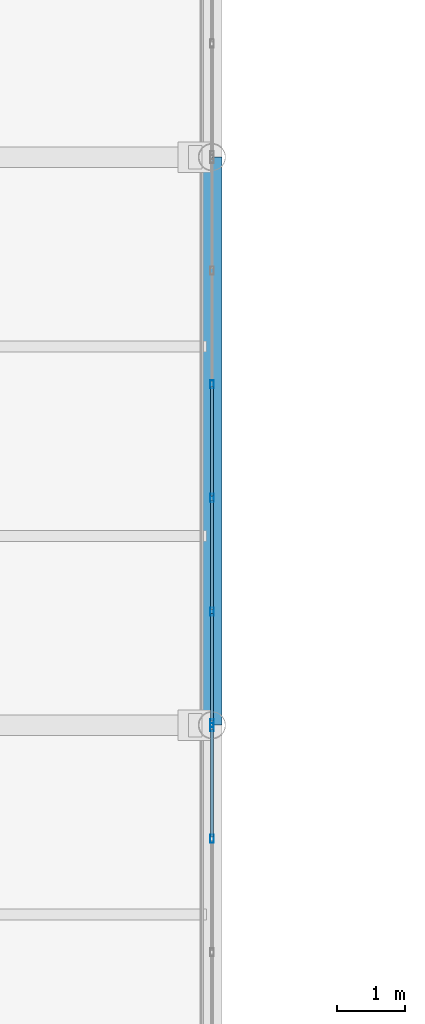
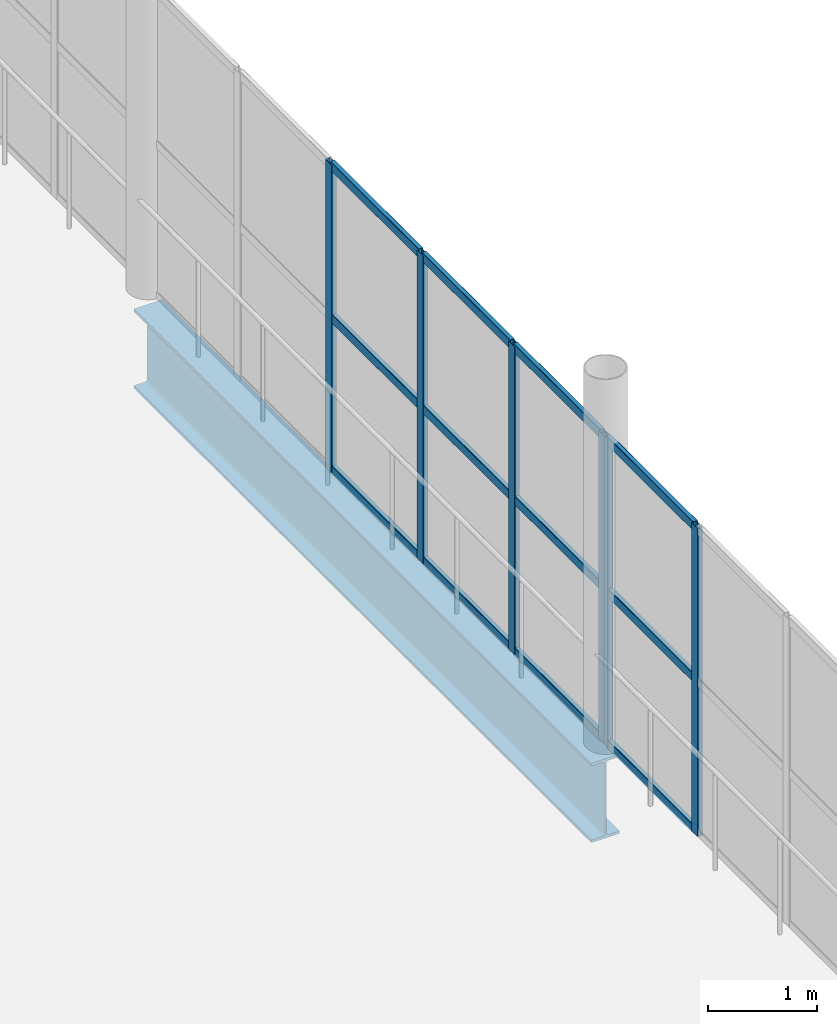
# One storey, part 48 of 163: 18 members, 1 beam, 2 elements without a shape of their own.
"""IFC4 building model written with IfcOpenShell, lengths in metres."""

from ifc_helpers import new_model, si_unit, direction, frame, origin, origin_2d, place, context, subcontext, project, spatial, hollow_rectangle, i_section, extrude, material, layer, layer_set, material_profile, profile_set, type_object, element, aggregate, save


model = new_model("IFC4")

# Units and contexts
model_context = context("Model", 3, precision=1e-05, world=origin(), true_north=direction((0.0, 1.0)))
body_context = subcontext(model_context, "Body", "Model", "MODEL_VIEW")
ifc_project = project(units=[si_unit("LENGTHUNIT", "METRE"), si_unit("AREAUNIT", "SQUARE_METRE"), si_unit("VOLUMEUNIT", "CUBIC_METRE"), si_unit("PLANEANGLEUNIT", "RADIAN"), si_unit("MASSUNIT", "GRAM", prefix="KILO")], contexts=[model_context])

# Site, building, storey
site_placement = place(None, origin())
site = spatial("IfcSite", under=ifc_project, at=site_placement, CompositionType="ELEMENT")
building_placement = place(site_placement, origin())
building = spatial("IfcBuilding", under=site, at=building_placement, Name="Qalvenar Corner Mobility Hub", CompositionType="ELEMENT")
storey_placement = place(building_placement, frame((0.0, 0.0, 4.800048828125)))
storey = spatial("IfcBuildingStorey", under=building, at=storey_placement, Name="L01", CompositionType="ELEMENT", Elevation=4.800048828125)

# Beam
ifc_material_1 = material(Name="Steel S355", Category="steel")
ifc_material_profile_1 = material_profile(ifc_material_1, i_section(OverallWidth=0.300048828125, OverallDepth=0.889892578125, WebThickness=0.01611328125, FlangeThickness=0.030029296875, FilletRadius=0.027099609375, at=origin_2d()), Name="HEA900")
ifc_profile_set_1 = profile_set([ifc_material_profile_1], Name="Steel S355")
beam_type = type_object("IfcBeamType", Name="BM-BRG900", PredefinedType="BEAM", material=ifc_profile_set_1)
beam_placement = place(storey_placement, frame((58.800048828125, 42.0, -0.635009765625), z_axis=(0.0, 1.0, 0.0), x_axis=(-1.0, 0.0, 0.0)))
element("IfcBeam", 1, at=beam_placement, inside=storey, type_object=beam_type, Name="Court Link Bridge Girder BRG-1530", PredefinedType="BEAM", context=body_context, shape_type="SweptSolid", body=[
    extrude(i_section(OverallWidth=0.300048828125, OverallDepth=0.889892578125, WebThickness=0.01611328125, FlangeThickness=0.030029296875, FilletRadius=0.027099609375, at=origin_2d()), origin(), (0.0, 0.0, 1.0), 8.39990234375),
])

# Curtain wall, members
ifc_material_2 = material(Name="Anodised Aluminium and Low-E Glazing", Category="aluminium")
ifc_layer = layer(ifc_material_2, 0.1201171875)
ifc_layer_set = layer_set([ifc_layer], Name="Anodised Aluminium and Low-E Glazing")
curtain_wall_type = type_object("IfcCurtainWallType", Name="CW-BRG-84X28", PredefinedType="NOTDEFINED", material=ifc_layer_set)
curtain_wall_1_placement = place(storey_placement, origin())
curtain_wall_1 = element("IfcCurtainWall", 2, at=curtain_wall_1_placement, inside=storey, type_object=curtain_wall_type, Name="Glazed Curtain Wall CW-BRG-L01-E0", PredefinedType="NOTDEFINED")
ifc_material_3 = material(Name="Anodised Aluminium 6063-T6", Category="aluminium")
ifc_material_profile_2 = material_profile(ifc_material_3, hollow_rectangle(XDim=0.054931640625, YDim=0.1201171875, WallThickness=0.00341796875, InnerFilletRadius=0.00341796875, OuterFilletRadius=0.007080078125, at=origin_2d()), Name="RHS120x55x3.5")
ifc_profile_set_2 = profile_set([ifc_material_profile_2], Name="Anodised Aluminium 6063-T6")
member_type_1 = type_object("IfcMemberType", Name="CW-MUL120", PredefinedType="MULLION", material=ifc_profile_set_2)
member_1_placement = place(storey_placement, frame((58.800048828125, 40.320068359375, 0.0), z_axis=(0.0, 0.0, 1.0), x_axis=(-1.0, 0.0, 0.0)))
member_1 = element("IfcMember", 3, at=member_1_placement, type_object=member_type_1, Name="CW-11 mullion 5", PredefinedType="MULLION", context=body_context, shape_type="SweptSolid", body=[
    extrude(hollow_rectangle(XDim=0.054931640625, YDim=0.1201171875, WallThickness=0.00341796875, InnerFilletRadius=0.00341796875, OuterFilletRadius=0.007080078125, at=origin_2d()), origin(), (0.0, 0.0, 1.0), 3.449951171875),
])
member_2_placement = place(storey_placement, frame((58.800048828125, 41.969970703125, 0.0), z_axis=(0.0, 0.0, 1.0), x_axis=(-1.0, 0.0, 0.0)))
member_2 = element("IfcMember", 4, at=member_2_placement, type_object=member_type_1, Name="CW-11 mullion 6", PredefinedType="MULLION", context=body_context, shape_type="SweptSolid", body=[
    extrude(hollow_rectangle(XDim=0.054931640625, YDim=0.1201171875, WallThickness=0.00341796875, InnerFilletRadius=0.00341796875, OuterFilletRadius=0.007080078125, at=origin_2d()), origin(), (0.0, 0.0, 1.0), 3.449951171875),
])

curtain_wall_2_placement = place(storey_placement, origin())
curtain_wall_2 = element("IfcCurtainWall", 5, at=curtain_wall_2_placement, inside=storey, type_object=curtain_wall_type, Name="Glazed Curtain Wall CW-BRG-L01-E1", PredefinedType="NOTDEFINED")
member_3_placement = place(storey_placement, frame((58.800048828125, 42.030029296875, 0.0), z_axis=(0.0, 0.0, 1.0), x_axis=(-1.0, 0.0, 0.0)))
member_3 = element("IfcMember", 6, at=member_3_placement, type_object=member_type_1, Name="CW-11 mullion 1", PredefinedType="MULLION", context=body_context, shape_type="SweptSolid", body=[
    extrude(hollow_rectangle(XDim=0.054931640625, YDim=0.1201171875, WallThickness=0.00341796875, InnerFilletRadius=0.00341796875, OuterFilletRadius=0.007080078125, at=origin_2d()), origin(), (0.0, 0.0, 1.0), 3.449951171875),
])
member_4_placement = place(storey_placement, frame((58.800048828125, 43.679931640625, 0.0), z_axis=(0.0, 0.0, 1.0), x_axis=(-1.0, 0.0, 0.0)))
member_4 = element("IfcMember", 7, at=member_4_placement, type_object=member_type_1, Name="CW-11 mullion 2", PredefinedType="MULLION", context=body_context, shape_type="SweptSolid", body=[
    extrude(hollow_rectangle(XDim=0.054931640625, YDim=0.1201171875, WallThickness=0.00341796875, InnerFilletRadius=0.00341796875, OuterFilletRadius=0.007080078125, at=origin_2d()), origin(), (0.0, 0.0, 1.0), 3.449951171875),
])
member_5_placement = place(storey_placement, frame((58.800048828125, 45.360107421875, 0.0), z_axis=(0.0, 0.0, 1.0), x_axis=(-1.0, 0.0, 0.0)))
member_5 = element("IfcMember", 8, at=member_5_placement, type_object=member_type_1, Name="CW-11 mullion 3", PredefinedType="MULLION", context=body_context, shape_type="SweptSolid", body=[
    extrude(hollow_rectangle(XDim=0.054931640625, YDim=0.1201171875, WallThickness=0.00341796875, InnerFilletRadius=0.00341796875, OuterFilletRadius=0.007080078125, at=origin_2d()), origin(), (0.0, 0.0, 1.0), 3.449951171875),
])
member_6_placement = place(storey_placement, frame((58.800048828125, 47.0400390625, 0.0), z_axis=(0.0, 0.0, 1.0), x_axis=(-1.0, 0.0, 0.0)))
member_6 = element("IfcMember", 9, at=member_6_placement, type_object=member_type_1, Name="CW-11 mullion 4", PredefinedType="MULLION", context=body_context, shape_type="SweptSolid", body=[
    extrude(hollow_rectangle(XDim=0.054931640625, YDim=0.1201171875, WallThickness=0.00341796875, InnerFilletRadius=0.00341796875, OuterFilletRadius=0.007080078125, at=origin_2d()), origin(), (0.0, 0.0, 1.0), 3.449951171875),
])

# Member
ifc_material_profile_3 = material_profile(ifc_material_3, hollow_rectangle(XDim=0.050048828125, YDim=0.10009765625, WallThickness=0.0029296875, InnerFilletRadius=0.0029296875, OuterFilletRadius=0.006103515625, at=origin_2d()), Name="RHS100x50x3")
ifc_profile_set_3 = profile_set([ifc_material_profile_3], Name="Anodised Aluminium 6063-T6")
member_type_2 = type_object("IfcMemberType", Name="CW-TRN100", PredefinedType="USERDEFINED", material=ifc_profile_set_3)
member_7_placement = place(storey_placement, frame((58.800048828125, 40.35009765625, 0.02734375), z_axis=(0.0, 1.0, 0.0), x_axis=(-1.0, 0.0, 0.0)))
member_7 = element("IfcMember", 10, at=member_7_placement, type_object=member_type_2, Name="CW-11 transom 5.1", ObjectType="TRANSOM", PredefinedType="USERDEFINED", context=body_context, shape_type="SweptSolid", body=[
    extrude(hollow_rectangle(XDim=0.050048828125, YDim=0.10009765625, WallThickness=0.0029296875, InnerFilletRadius=0.0029296875, OuterFilletRadius=0.006103515625, at=origin_2d()), origin(), (0.0, 0.0, 1.0), 1.58984375),
])

member_8_placement = place(storey_placement, frame((58.800048828125, 40.35009765625, 1.724853515625), z_axis=(0.0, 1.0, 0.0), x_axis=(-1.0, 0.0, 0.0)))
member_8 = element("IfcMember", 11, at=member_8_placement, type_object=member_type_2, Name="CW-11 transom 5.2", ObjectType="TRANSOM", PredefinedType="USERDEFINED", context=body_context, shape_type="SweptSolid", body=[
    extrude(hollow_rectangle(XDim=0.050048828125, YDim=0.10009765625, WallThickness=0.0029296875, InnerFilletRadius=0.0029296875, OuterFilletRadius=0.006103515625, at=origin_2d()), origin(), (0.0, 0.0, 1.0), 1.58984375),
])

member_9_placement = place(storey_placement, frame((58.800048828125, 40.35009765625, 3.42236328125), z_axis=(0.0, 1.0, 0.0), x_axis=(-1.0, 0.0, 0.0)))
member_9 = element("IfcMember", 12, at=member_9_placement, type_object=member_type_2, Name="CW-11 transom 5.3", ObjectType="TRANSOM", PredefinedType="USERDEFINED", context=body_context, shape_type="SweptSolid", body=[
    extrude(hollow_rectangle(XDim=0.050048828125, YDim=0.10009765625, WallThickness=0.0029296875, InnerFilletRadius=0.0029296875, OuterFilletRadius=0.006103515625, at=origin_2d()), origin(), (0.0, 0.0, 1.0), 1.58984375),
])

aggregate(curtain_wall_1, [member_1, member_2, member_7, member_8, member_9])

member_10_placement = place(storey_placement, frame((58.800048828125, 42.06005859375, 0.02734375), z_axis=(0.0, 1.0, 0.0), x_axis=(-1.0, 0.0, 0.0)))
member_10 = element("IfcMember", 13, at=member_10_placement, type_object=member_type_2, Name="CW-11 transom 1.1", ObjectType="TRANSOM", PredefinedType="USERDEFINED", context=body_context, shape_type="SweptSolid", body=[
    extrude(hollow_rectangle(XDim=0.050048828125, YDim=0.10009765625, WallThickness=0.0029296875, InnerFilletRadius=0.0029296875, OuterFilletRadius=0.006103515625, at=origin_2d()), origin(), (0.0, 0.0, 1.0), 1.58984375),
])

member_11_placement = place(storey_placement, frame((58.800048828125, 42.06005859375, 1.724853515625), z_axis=(0.0, 1.0, 0.0), x_axis=(-1.0, 0.0, 0.0)))
member_11 = element("IfcMember", 14, at=member_11_placement, type_object=member_type_2, Name="CW-11 transom 1.2", ObjectType="TRANSOM", PredefinedType="USERDEFINED", context=body_context, shape_type="SweptSolid", body=[
    extrude(hollow_rectangle(XDim=0.050048828125, YDim=0.10009765625, WallThickness=0.0029296875, InnerFilletRadius=0.0029296875, OuterFilletRadius=0.006103515625, at=origin_2d()), origin(), (0.0, 0.0, 1.0), 1.58984375),
])

member_12_placement = place(storey_placement, frame((58.800048828125, 42.06005859375, 3.42236328125), z_axis=(0.0, 1.0, 0.0), x_axis=(-1.0, 0.0, 0.0)))
member_12 = element("IfcMember", 15, at=member_12_placement, type_object=member_type_2, Name="CW-11 transom 1.3", ObjectType="TRANSOM", PredefinedType="USERDEFINED", context=body_context, shape_type="SweptSolid", body=[
    extrude(hollow_rectangle(XDim=0.050048828125, YDim=0.10009765625, WallThickness=0.0029296875, InnerFilletRadius=0.0029296875, OuterFilletRadius=0.006103515625, at=origin_2d()), origin(), (0.0, 0.0, 1.0), 1.58984375),
])

member_13_placement = place(storey_placement, frame((58.800048828125, 43.7099609375, 0.02734375), z_axis=(0.0, 1.0, 0.0), x_axis=(-1.0, 0.0, 0.0)))
member_13 = element("IfcMember", 16, at=member_13_placement, type_object=member_type_2, Name="CW-11 transom 2.1", ObjectType="TRANSOM", PredefinedType="USERDEFINED", context=body_context, shape_type="SweptSolid", body=[
    extrude(hollow_rectangle(XDim=0.050048828125, YDim=0.10009765625, WallThickness=0.0029296875, InnerFilletRadius=0.0029296875, OuterFilletRadius=0.006103515625, at=origin_2d()), origin(), (0.0, 0.0, 1.0), 1.6201171875),
])

member_14_placement = place(storey_placement, frame((58.800048828125, 43.7099609375, 1.724853515625), z_axis=(0.0, 1.0, 0.0), x_axis=(-1.0, 0.0, 0.0)))
member_14 = element("IfcMember", 17, at=member_14_placement, type_object=member_type_2, Name="CW-11 transom 2.2", ObjectType="TRANSOM", PredefinedType="USERDEFINED", context=body_context, shape_type="SweptSolid", body=[
    extrude(hollow_rectangle(XDim=0.050048828125, YDim=0.10009765625, WallThickness=0.0029296875, InnerFilletRadius=0.0029296875, OuterFilletRadius=0.006103515625, at=origin_2d()), origin(), (0.0, 0.0, 1.0), 1.6201171875),
])

member_15_placement = place(storey_placement, frame((58.800048828125, 43.7099609375, 3.42236328125), z_axis=(0.0, 1.0, 0.0), x_axis=(-1.0, 0.0, 0.0)))
member_15 = element("IfcMember", 18, at=member_15_placement, type_object=member_type_2, Name="CW-11 transom 2.3", ObjectType="TRANSOM", PredefinedType="USERDEFINED", context=body_context, shape_type="SweptSolid", body=[
    extrude(hollow_rectangle(XDim=0.050048828125, YDim=0.10009765625, WallThickness=0.0029296875, InnerFilletRadius=0.0029296875, OuterFilletRadius=0.006103515625, at=origin_2d()), origin(), (0.0, 0.0, 1.0), 1.6201171875),
])

member_16_placement = place(storey_placement, frame((58.800048828125, 45.389892578125, 0.02734375), z_axis=(0.0, 1.0, 0.0), x_axis=(-1.0, 0.0, 0.0)))
member_16 = element("IfcMember", 19, at=member_16_placement, type_object=member_type_2, Name="CW-11 transom 3.1", ObjectType="TRANSOM", PredefinedType="USERDEFINED", context=body_context, shape_type="SweptSolid", body=[
    extrude(hollow_rectangle(XDim=0.050048828125, YDim=0.10009765625, WallThickness=0.0029296875, InnerFilletRadius=0.0029296875, OuterFilletRadius=0.006103515625, at=origin_2d()), origin(), (0.0, 0.0, 1.0), 1.6201171875),
])

member_17_placement = place(storey_placement, frame((58.800048828125, 45.389892578125, 1.724853515625), z_axis=(0.0, 1.0, 0.0), x_axis=(-1.0, 0.0, 0.0)))
member_17 = element("IfcMember", 20, at=member_17_placement, type_object=member_type_2, Name="CW-11 transom 3.2", ObjectType="TRANSOM", PredefinedType="USERDEFINED", context=body_context, shape_type="SweptSolid", body=[
    extrude(hollow_rectangle(XDim=0.050048828125, YDim=0.10009765625, WallThickness=0.0029296875, InnerFilletRadius=0.0029296875, OuterFilletRadius=0.006103515625, at=origin_2d()), origin(), (0.0, 0.0, 1.0), 1.6201171875),
])

member_18_placement = place(storey_placement, frame((58.800048828125, 45.389892578125, 3.42236328125), z_axis=(0.0, 1.0, 0.0), x_axis=(-1.0, 0.0, 0.0)))
member_18 = element("IfcMember", 21, at=member_18_placement, type_object=member_type_2, Name="CW-11 transom 3.3", ObjectType="TRANSOM", PredefinedType="USERDEFINED", context=body_context, shape_type="SweptSolid", body=[
    extrude(hollow_rectangle(XDim=0.050048828125, YDim=0.10009765625, WallThickness=0.0029296875, InnerFilletRadius=0.0029296875, OuterFilletRadius=0.006103515625, at=origin_2d()), origin(), (0.0, 0.0, 1.0), 1.6201171875),
])

aggregate(curtain_wall_2, [member_3, member_4, member_5, member_6, member_10, member_11, member_12, member_13, member_14, member_15, member_16, member_17, member_18])

save(model, "model.ifc")
